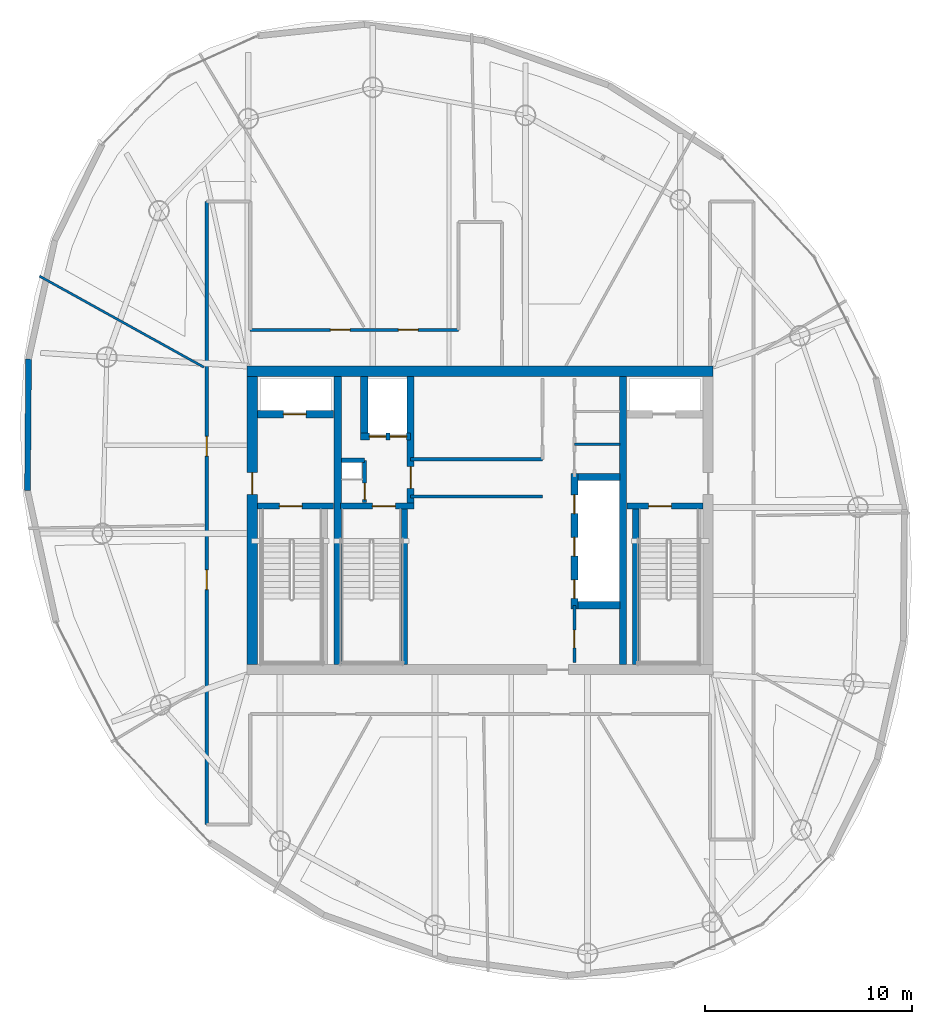
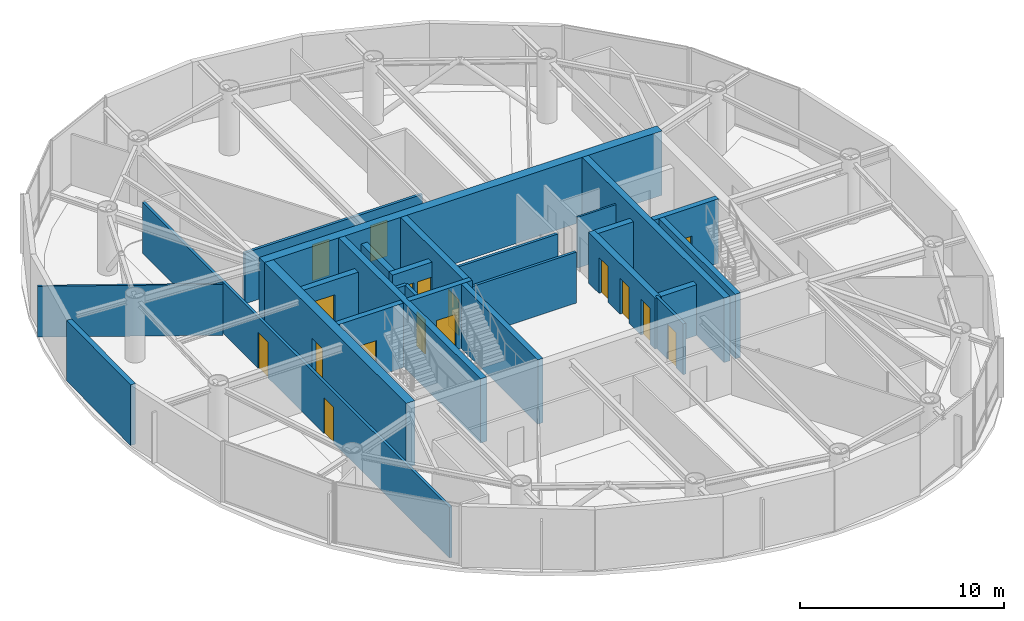
# One storey, part 17 of 22: 26 walls, 17 doors, 17 openings.
"""IFC4 building model written with IfcOpenShell, lengths in metres."""

from ifc_helpers import new_model, si_unit, direction, frame, frame_2d, origin, place, context, subcontext, project, spatial, rectangle, extrude, material, layer, layer_set, type_object, element, fill, save


model = new_model("IFC4")

# Units and contexts
model_context = context("Model", 3, precision=1e-05, world=origin(), true_north=direction((0.0, 1.0)))
body_context = subcontext(model_context, "Body", "Model", "MODEL_VIEW")
ifc_project = project(units=[si_unit("LENGTHUNIT", "METRE"), si_unit("AREAUNIT", "SQUARE_METRE"), si_unit("VOLUMEUNIT", "CUBIC_METRE"), si_unit("PLANEANGLEUNIT", "RADIAN"), si_unit("MASSUNIT", "GRAM", prefix="KILO")], contexts=[model_context])

# Site, building, storey
site_placement = place(None, origin())
site = spatial("IfcSite", under=ifc_project, at=site_placement, CompositionType="ELEMENT")
building_placement = place(site_placement, origin())
building = spatial("IfcBuilding", under=site, at=building_placement, Name="Bramvorn Convention Spire", CompositionType="ELEMENT")
storey_placement = place(building_placement, frame((0.0, 0.0, 253.60009765625)))
storey = spatial("IfcBuildingStorey", under=building, at=storey_placement, Name="L64", CompositionType="ELEMENT", Elevation=253.60009765625)

# Wall
ifc_material_1 = material(Name="Concrete C50/60", Category="concrete")
ifc_layer_1 = layer(ifc_material_1, 0.5)
ifc_layer_set_1 = layer_set([ifc_layer_1], Name="Concrete C50/60 - WL-CORE-500")
wall_type_1 = type_object("IfcWallType", Name="WL-CORE-500", PredefinedType="SHEAR", material=ifc_layer_set_1)
wall_1_placement = place(storey_placement, frame((26.75, 33.199951171875, 0.0), z_axis=(0.0, 0.0, 1.0), x_axis=(1.0, 0.0, 0.0)))
element("IfcWall", 1, at=wall_1_placement, inside=storey, type_object=wall_type_1, Name="L64 North RC core shear wall", PredefinedType="SHEAR", context=body_context, shape_type="SweptSolid", body=[
    extrude(rectangle(XDim=22.5, YDim=0.5, at=frame_2d((11.25, 0.0))), origin(), (0.0, 0.0, 1.0), 3.849853515625),
])

# Wall, opening, door
wall_2_placement = place(storey_placement, frame((27.0, 19.050048828125, 0.0), z_axis=(0.0, 0.0, 1.0), x_axis=(0.0, 1.0, 0.0)))
wall_2 = element("IfcWall", 2, at=wall_2_placement, inside=storey, type_object=wall_type_1, Name="L64 West RC core shear wall", PredefinedType="SHEAR", context=body_context, shape_type="SweptSolid", body=[
    extrude(rectangle(XDim=13.89990234375, YDim=0.5, at=frame_2d((6.949951171875, 0.0))), origin(), (0.0, 0.0, 1.0), 3.849853515625),
])
opening_1_placement = place(wall_2_placement, frame((8.199951171875, 0.0, 0.0)))
opening_1 = element("IfcOpeningElement", 3, at=opening_1_placement, cuts=wall_2, Name="Opening DL-105", PredefinedType="OPENING", context=body_context, shape_type="SweptSolid", body=[
    extrude(rectangle(XDim=1.050048828125, YDim=2.14990234375, at=frame_2d((0.52490234375, 1.074951171875))), frame((0.0, 0.260009765625, 0.0), z_axis=(0.0, -1.0, 0.0), x_axis=(1.0, 0.0, 0.0)), (0.0, 0.0, 1.0), 0.52001953125),
])
ifc_material_2 = material(Name="Smoke-Sealed Fire Lobby Timber-Core Door", Category="wood")
door_type_1 = type_object("IfcDoorType", Name="DR-LOBBY-1050", OperationType="NOTDEFINED", PredefinedType="DOOR", material=ifc_material_2)
door_1_placement = place(opening_1_placement, origin())
door_1 = element("IfcDoor", 4, at=door_1_placement, inside=storey, type_object=door_type_1, Name="L64 West Firefighting Lobby corridor door", OperationType="SINGLE_SWING_RIGHT", OverallHeight=2.14990234375, OverallWidth=1.050048828125, PredefinedType="DOOR", context=body_context, shape_type="SweptSolid", body=[
    extrude(rectangle(XDim=1.050048828125, YDim=2.14990234375, at=frame_2d((0.52490234375, 1.074951171875))), frame((0.0, 0.02490234375, 0.0), z_axis=(0.0, -1.0, 0.0), x_axis=(1.0, 0.0, 0.0)), (0.0, 0.0, 1.0), 0.050048828125),
])
fill(opening_1, door_1)

# Walls
ifc_layer_2 = layer(ifc_material_1, 0.35009765625)
ifc_layer_set_2 = layer_set([ifc_layer_2], Name="Concrete C50/60 - WL-CORE-INT-350")
wall_type_2 = type_object("IfcWallType", Name="WL-CORE-INT-350", PredefinedType="SHEAR", material=ifc_layer_set_2)
for number, where, z_axis, x_axis, name in (
    (5, (31.1298828125, 19.050048828125, 0.0), (0.0, 0.0, 1.0), (0.0, 1.0, 0.0), "L64 West internal core shear web"),
    (6, (44.89990234375, 19.050048828125, 0.0), (0.0, 0.0, 1.0), (0.0, 1.0, 0.0), "L64 East internal core shear web"),
):
    element("IfcWall", number, at=place(storey_placement, frame(where, z_axis=z_axis, x_axis=x_axis)), inside=storey, type_object=wall_type_2, Name=name, PredefinedType="SHEAR", context=body_context, shape_type="SweptSolid", body=[
        extrude(rectangle(XDim=13.89990234375, YDim=0.35009765625, at=frame_2d((6.949951171875, 0.0))), origin(), (0.0, 0.0, 1.0), 3.849853515625),
    ])

# Wall, opening, door
wall_3_placement = place(storey_placement, frame((27.25, 31.1201171875, 0.0), z_axis=(0.0, 0.0, 1.0), x_axis=(1.0, 0.0, 0.0)))
wall_3 = element("IfcWall", 7, at=wall_3_placement, inside=storey, type_object=wall_type_2, Name="L64 FE1 shaft front wall", PredefinedType="SHEAR", context=body_context, shape_type="SweptSolid", body=[
    extrude(rectangle(XDim=3.669921875, YDim=0.35009765625, at=frame_2d((1.8349609375, 0.0))), origin(), (0.0, 0.0, 1.0), 3.039794921875),
])
opening_2_placement = place(wall_3_placement, frame((1.25, 0.0, 0.0)))
opening_2 = element("IfcOpeningElement", 8, at=opening_2_placement, cuts=wall_3, Name="Opening LD-110", PredefinedType="OPENING", context=body_context, shape_type="SweptSolid", body=[
    extrude(rectangle(XDim=1.10009765625, YDim=2.14990234375, at=frame_2d((0.550048828125, 1.074951171875))), frame((0.0, 0.18505859375, 0.0), z_axis=(0.0, -1.0, 0.0), x_axis=(1.0, 0.0, 0.0)), (0.0, 0.0, 1.0), 0.3701171875),
])
ifc_material_3 = material(Name="Firefighting & Service Lift Sliding Landing Door", Category="steel")
door_type_2 = type_object("IfcDoorType", Name="DR-LIFT-LD-1100", OperationType="NOTDEFINED", PredefinedType="DOOR", material=ifc_material_3)
door_2_placement = place(opening_2_placement, origin())
door_2 = element("IfcDoor", 9, at=door_2_placement, inside=storey, type_object=door_type_2, Name="L64 Lift FE1 Sliding Landing Door", OperationType="SLIDING_TO_LEFT", OverallHeight=2.14990234375, OverallWidth=1.10009765625, PredefinedType="DOOR", context=body_context, shape_type="SweptSolid", body=[
    extrude(rectangle(XDim=1.10009765625, YDim=2.14990234375, at=frame_2d((0.550048828125, 1.074951171875))), frame((0.0, 0.02490234375, 0.0), z_axis=(0.0, -1.0, 0.0), x_axis=(1.0, 0.0, 0.0)), (0.0, 0.0, 1.0), 0.050048828125),
])
fill(opening_2, door_2)

wall_4_placement = place(storey_placement, frame((34.639892578125, 26.68994140625, 0.0), z_axis=(0.0, 0.0, 1.0), x_axis=(0.0, 1.0, 0.0)))
wall_4 = element("IfcWall", 10, at=wall_4_placement, inside=storey, type_object=wall_type_2, Name="L64 SV east core shaft wall", PredefinedType="SHEAR", context=body_context, shape_type="SweptSolid", body=[
    extrude(rectangle(XDim=6.260009765625, YDim=0.35009765625, at=frame_2d((3.1298828125, 0.0))), origin(), (0.0, 0.0, 1.0), 3.849853515625),
])
opening_3_placement = place(wall_4_placement, frame((0.85009765625, 0.0, 0.0)))
opening_3 = element("IfcOpeningElement", 11, at=opening_3_placement, cuts=wall_4, Name="Opening DL-105", PredefinedType="OPENING", context=body_context, shape_type="SweptSolid", body=[
    extrude(rectangle(XDim=1.050048828125, YDim=2.14990234375, at=frame_2d((0.52490234375, 1.074951171875))), frame((0.0, 0.18505859375, 0.0), z_axis=(0.0, -1.0, 0.0), x_axis=(1.0, 0.0, 0.0)), (0.0, 0.0, 1.0), 0.3701171875),
])
door_3_placement = place(opening_3_placement, origin())
door_3 = element("IfcDoor", 12, at=door_3_placement, inside=storey, type_object=door_type_1, Name="L64 Core cross-passage door", OperationType="SINGLE_SWING_RIGHT", OverallHeight=2.14990234375, OverallWidth=1.050048828125, PredefinedType="DOOR", context=body_context, shape_type="SweptSolid", body=[
    extrude(rectangle(XDim=1.050048828125, YDim=2.14990234375, at=frame_2d((0.52490234375, 1.074951171875))), frame((0.0, 0.02490234375, 0.0), z_axis=(0.0, -1.0, 0.0), x_axis=(1.0, 0.0, 0.0)), (0.0, 0.0, 1.0), 0.050048828125),
])
fill(opening_3, door_3)

# Wall, openings, doors
wall_5_placement = place(storey_placement, frame((32.22998046875, 30.050048828125, 0.0), z_axis=(0.0, 0.0, 1.0), x_axis=(1.0, 0.0, 0.0)))
wall_5 = element("IfcWall", 13, at=wall_5_placement, inside=storey, type_object=wall_type_2, Name="L64 SV1/SV2 shaft front wall", PredefinedType="SHEAR", context=body_context, shape_type="SweptSolid", body=[
    extrude(rectangle(XDim=2.409912109375, YDim=0.35009765625, at=frame_2d((1.205078125, 0.0))), origin(), (0.0, 0.0, 1.0), 3.039794921875),
])
opening_4_placement = place(wall_5_placement, frame((0.419921875, 0.0, 0.0)))
opening_4 = element("IfcOpeningElement", 14, at=opening_4_placement, cuts=wall_5, Name="Opening LD-080", PredefinedType="OPENING", context=body_context, shape_type="SweptSolid", body=[
    extrude(rectangle(XDim=0.800048828125, YDim=2.14990234375, at=frame_2d((0.39990234375, 1.074951171875))), frame((0.0, 0.18505859375, 0.0), z_axis=(0.0, -1.0, 0.0), x_axis=(1.0, 0.0, 0.0)), (0.0, 0.0, 1.0), 0.3701171875),
])
opening_5_placement = place(wall_5_placement, frame((1.419921875, 0.0, 0.0)))
opening_5 = element("IfcOpeningElement", 15, at=opening_5_placement, cuts=wall_5, Name="Opening LD-080", PredefinedType="OPENING", context=body_context, shape_type="SweptSolid", body=[
    extrude(rectangle(XDim=0.800048828125, YDim=2.14990234375, at=frame_2d((0.39990234375, 1.074951171875))), frame((0.0, 0.18505859375, 0.0), z_axis=(0.0, -1.0, 0.0), x_axis=(1.0, 0.0, 0.0)), (0.0, 0.0, 1.0), 0.3701171875),
])
ifc_material_4 = material(Name="Service Lift Bi-Parting Landing Door", Category="steel")
door_type_3 = type_object("IfcDoorType", Name="DR-LIFT-LD-800", OperationType="NOTDEFINED", PredefinedType="DOOR", material=ifc_material_4)
door_4_placement = place(opening_4_placement, origin())
door_4 = element("IfcDoor", 16, at=door_4_placement, inside=storey, type_object=door_type_3, Name="L64 Lift SV1 Sliding Landing Door", OperationType="SLIDING_TO_LEFT", OverallHeight=2.14990234375, OverallWidth=0.800048828125, PredefinedType="DOOR", context=body_context, shape_type="SweptSolid", body=[
    extrude(rectangle(XDim=0.800048828125, YDim=2.14990234375, at=frame_2d((0.39990234375, 1.074951171875))), frame((0.0, 0.02490234375, 0.0), z_axis=(0.0, -1.0, 0.0), x_axis=(1.0, 0.0, 0.0)), (0.0, 0.0, 1.0), 0.050048828125),
])
fill(opening_4, door_4)
door_5_placement = place(opening_5_placement, origin())
door_5 = element("IfcDoor", 17, at=door_5_placement, inside=storey, type_object=door_type_3, Name="L64 Lift SV2 Sliding Landing Door", OperationType="SLIDING_TO_LEFT", OverallHeight=2.14990234375, OverallWidth=0.800048828125, PredefinedType="DOOR", context=body_context, shape_type="SweptSolid", body=[
    extrude(rectangle(XDim=0.800048828125, YDim=2.14990234375, at=frame_2d((0.39990234375, 1.074951171875))), frame((0.0, 0.02490234375, 0.0), z_axis=(0.0, -1.0, 0.0), x_axis=(1.0, 0.0, 0.0)), (0.0, 0.0, 1.0), 0.050048828125),
])
fill(opening_5, door_5)

# Wall
wall_6_placement = place(storey_placement, frame((32.39990234375, 30.219970703125, 0.0), z_axis=(0.0, 0.0, 1.0), x_axis=(0.0, 1.0, 0.0)))
element("IfcWall", 18, at=wall_6_placement, inside=storey, type_object=wall_type_2, Name="L64 SV1 west hoistway wall", PredefinedType="SHEAR", context=body_context, shape_type="SweptSolid", body=[
    extrude(rectangle(XDim=2.72998046875, YDim=0.35009765625, at=frame_2d((1.364990234375, 0.0))), origin(), (0.0, 0.0, 1.0), 3.039794921875),
])

# Wall, openings, doors
wall_7_placement = place(storey_placement, frame((42.550048828125, 21.72998046875, 0.0), z_axis=(0.0, 0.0, 1.0), x_axis=(0.0, 1.0, 0.0)))
wall_7 = element("IfcWall", 19, at=wall_7_placement, inside=storey, type_object=wall_type_2, Name="L64 High-rise lift bank west wall", PredefinedType="SHEAR", context=body_context, shape_type="SweptSolid", body=[
    extrude(rectangle(XDim=6.5400390625, YDim=0.35009765625, at=frame_2d((3.27001953125, 0.0))), origin(), (0.0, 0.0, 1.0), 3.039794921875),
])
opening_6_placement = place(wall_7_placement, frame((0.5, 0.0, 0.0)))
opening_6 = element("IfcOpeningElement", 20, at=opening_6_placement, cuts=wall_7, Name="Opening LD-090", PredefinedType="OPENING", context=body_context, shape_type="SweptSolid", body=[
    extrude(rectangle(XDim=0.89990234375, YDim=2.14990234375, at=frame_2d((0.449951171875, 1.074951171875))), frame((0.0, 0.18505859375, 0.0), z_axis=(0.0, -1.0, 0.0), x_axis=(1.0, 0.0, 0.0)), (0.0, 0.0, 1.0), 0.3701171875),
])
opening_7_placement = place(wall_7_placement, frame((2.550048828125, 0.0, 0.0)))
opening_7 = element("IfcOpeningElement", 21, at=opening_7_placement, cuts=wall_7, Name="Opening LD-090", PredefinedType="OPENING", context=body_context, shape_type="SweptSolid", body=[
    extrude(rectangle(XDim=0.89990234375, YDim=2.14990234375, at=frame_2d((0.449951171875, 1.074951171875))), frame((0.0, 0.18505859375, 0.0), z_axis=(0.0, -1.0, 0.0), x_axis=(1.0, 0.0, 0.0)), (0.0, 0.0, 1.0), 0.3701171875),
])
opening_8_placement = place(wall_7_placement, frame((4.60009765625, 0.0, 0.0)))
opening_8 = element("IfcOpeningElement", 22, at=opening_8_placement, cuts=wall_7, Name="Opening LD-090", PredefinedType="OPENING", context=body_context, shape_type="SweptSolid", body=[
    extrude(rectangle(XDim=0.89990234375, YDim=2.14990234375, at=frame_2d((0.449951171875, 1.074951171875))), frame((0.0, 0.18505859375, 0.0), z_axis=(0.0, -1.0, 0.0), x_axis=(1.0, 0.0, 0.0)), (0.0, 0.0, 1.0), 0.3701171875),
])
ifc_material_5 = material(Name="Bi-Parting Fire-Rated Lift Landing Door", Category="steel")
door_type_4 = type_object("IfcDoorType", Name="DR-LIFT-LD-900", OperationType="NOTDEFINED", PredefinedType="DOOR", material=ifc_material_5)
door_6_placement = place(opening_6_placement, origin())
door_6 = element("IfcDoor", 23, at=door_6_placement, inside=storey, type_object=door_type_4, Name="L64 Lift PH1 Sliding Landing Door", OperationType="SLIDING_TO_LEFT", OverallHeight=2.14990234375, OverallWidth=0.89990234375, PredefinedType="DOOR", context=body_context, shape_type="SweptSolid", body=[
    extrude(rectangle(XDim=0.89990234375, YDim=2.14990234375, at=frame_2d((0.449951171875, 1.074951171875))), frame((0.0, 0.02490234375, 0.0), z_axis=(0.0, -1.0, 0.0), x_axis=(1.0, 0.0, 0.0)), (0.0, 0.0, 1.0), 0.050048828125),
])
fill(opening_6, door_6)
door_7_placement = place(opening_7_placement, origin())
door_7 = element("IfcDoor", 24, at=door_7_placement, inside=storey, type_object=door_type_4, Name="L64 Lift PH2 Sliding Landing Door", OperationType="SLIDING_TO_LEFT", OverallHeight=2.14990234375, OverallWidth=0.89990234375, PredefinedType="DOOR", context=body_context, shape_type="SweptSolid", body=[
    extrude(rectangle(XDim=0.89990234375, YDim=2.14990234375, at=frame_2d((0.449951171875, 1.074951171875))), frame((0.0, 0.02490234375, 0.0), z_axis=(0.0, -1.0, 0.0), x_axis=(1.0, 0.0, 0.0)), (0.0, 0.0, 1.0), 0.050048828125),
])
fill(opening_7, door_7)
door_8_placement = place(opening_8_placement, origin())
door_8 = element("IfcDoor", 25, at=door_8_placement, inside=storey, type_object=door_type_4, Name="L64 Lift PH3 Sliding Landing Door", OperationType="SLIDING_TO_LEFT", OverallHeight=2.14990234375, OverallWidth=0.89990234375, PredefinedType="DOOR", context=body_context, shape_type="SweptSolid", body=[
    extrude(rectangle(XDim=0.89990234375, YDim=2.14990234375, at=frame_2d((0.449951171875, 1.074951171875))), frame((0.0, 0.02490234375, 0.0), z_axis=(0.0, -1.0, 0.0), x_axis=(1.0, 0.0, 0.0)), (0.0, 0.0, 1.0), 0.050048828125),
])
fill(opening_8, door_8)

# Walls
for number, where, z_axis, x_axis, name in (
    (26, (42.719970703125, 21.89990234375, 0.0), (0.0, 0.0, 1.0), (1.0, 0.0, 0.0), "L64 High-rise lift bank south wall"),
    (27, (42.719970703125, 28.10009765625, 0.0), (0.0, 0.0, 1.0), (1.0, 0.0, 0.0), "L64 High-rise lift bank north wall"),
):
    element("IfcWall", number, at=place(storey_placement, frame(where, z_axis=z_axis, x_axis=x_axis)), inside=storey, type_object=wall_type_2, Name=name, PredefinedType="SHEAR", context=body_context, shape_type="SweptSolid", body=[
        extrude(rectangle(XDim=2.030029296875, YDim=0.35009765625, at=frame_2d((1.01513671875, 0.0))), origin(), (0.0, 0.0, 1.0), 3.039794921875),
    ])
ifc_material_6 = material(Name="Precast Concrete C40/50 with Bronze Terracotta Rainscreen", Category="masonry")
ifc_layer_3 = layer(ifc_material_6, 0.300048828125)
ifc_layer_set_3 = layer_set([ifc_layer_3], Name="Precast Concrete C40/50 with Bronze Terracotta Rainscreen - WL-EXT-BRONZE-300")
wall_type_3 = type_object("IfcWallType", Name="WL-EXT-BRONZE-300", PredefinedType="SOLIDWALL", material=ifc_layer_set_3)
wall_8_placement = place(storey_placement, frame((16.147216796875, 27.447265625, 0.0), z_axis=(0.0, 0.0, 1.0), x_axis=(0.008349395362, 0.999965143191, 0.0)))
element("IfcWall", 28, at=wall_8_placement, inside=storey, type_object=wall_type_3, Name="L64 expressed bronze Gothic lancet pier wall 16", PredefinedType="SOLIDWALL", context=body_context, shape_type="SweptSolid", body=[
    extrude(rectangle(XDim=6.34521484375, YDim=0.280029296875, at=frame_2d((3.172607421875, 0.0))), origin(), (0.0, 0.0, 1.0), 3.625),
])
ifc_material_7 = material(Name="Lightweight En-Suite & Wet-Wall Partition", Category="gypsum")
ifc_layer_4 = layer(ifc_material_7, 0.110107421875)
ifc_layer_set_4 = layer_set([ifc_layer_4], Name="Lightweight En-Suite & Wet-Wall Partition - WL-PART-110")
wall_type_4 = type_object("IfcWallType", Name="WL-PART-110", PredefinedType="PARTITIONING", material=ifc_layer_set_4)
wall_9_placement = place(storey_placement, frame((42.550048828125, 29.679931640625, 0.0), z_axis=(0.0, 0.0, 1.0), x_axis=(1.0, 0.0, 0.0)))
element("IfcWall", 29, at=wall_9_placement, inside=storey, type_object=wall_type_4, Name="L64 KC NE div 1", PredefinedType="PARTITIONING", context=body_context, shape_type="SweptSolid", body=[
    extrude(rectangle(XDim=2.199951171875, YDim=0.110107421875, at=frame_2d((1.10009765625, 0.0))), origin(), (0.0, 0.0, 1.0), 3.039794921875),
])
wall_10_placement = place(storey_placement, frame((24.659912109375, 33.39453125, 0.0), z_axis=(0.0, 0.0, 1.0), x_axis=(-0.874629144462, 0.484792594475, 0.0)))
element("IfcWall", 30, at=wall_10_placement, inside=storey, type_object=wall_type_4, Name="L64 Tenant suite partition 6", PredefinedType="PARTITIONING", context=body_context, shape_type="SweptSolid", body=[
    extrude(rectangle(XDim=9.07080078125, YDim=0.110107421875, at=frame_2d((4.535400390625, 0.0))), origin(), (0.0, 0.0, 1.0), 3.039794921875),
])
ifc_material_8 = material(Name="Acoustic Metal-Stud Tenant/Corridor Partition", Category="gypsum")
ifc_layer_5 = layer(ifc_material_8, 0.14990234375)
ifc_layer_set_5 = layer_set([ifc_layer_5], Name="Acoustic Metal-Stud Tenant/Corridor Partition - WL-PART-150")
wall_type_5 = type_object("IfcWallType", Name="WL-PART-150", PredefinedType="PARTITIONING", material=ifc_layer_set_5)
for number, where, z_axis, x_axis, name in (
    (31, (34.639892578125, 27.14990234375, 0.0), (0.0, 0.0, 1.0), (1.0, 0.0, 0.0), "L64 Cross-core passage south wall"),
    (32, (34.639892578125, 28.949951171875, 0.0), (0.0, 0.0, 1.0), (1.0, 0.0, 0.0), "L64 Cross-core passage north wall"),
):
    element("IfcWall", number, at=place(storey_placement, frame(where, z_axis=z_axis, x_axis=x_axis)), inside=storey, type_object=wall_type_5, Name=name, PredefinedType="PARTITIONING", context=body_context, shape_type="SweptSolid", body=[
        extrude(rectangle(XDim=6.360107421875, YDim=0.14990234375, at=frame_2d((3.18017578125, 0.0))), origin(), (0.0, 0.0, 1.0), 3.039794921875),
    ])

# Wall, opening, door
wall_11_placement = place(storey_placement, frame((42.550048828125, 19.14990234375, 0.0), z_axis=(0.0, 0.0, 1.0), x_axis=(0.0, 1.0, 0.0)))
wall_11 = element("IfcWall", 33, at=wall_11_placement, inside=storey, type_object=wall_type_5, Name="L64 KC SE wall", PredefinedType="PARTITIONING", context=body_context, shape_type="SweptSolid", body=[
    extrude(rectangle(XDim=2.75, YDim=0.14990234375, at=frame_2d((1.375, 0.0))), origin(), (0.0, 0.0, 1.0), 3.039794921875),
])
opening_9_placement = place(wall_11_placement, frame((0.699951171875, 0.0, 0.0)))
opening_9 = element("IfcOpeningElement", 34, at=opening_9_placement, cuts=wall_11, Name="Opening DC-085", PredefinedType="OPENING", context=body_context, shape_type="SweptSolid", body=[
    extrude(rectangle(XDim=0.85009765625, YDim=2.10009765625, at=frame_2d((0.425048828125, 1.050048828125))), frame((0.0, 0.0849609375, 0.0), z_axis=(0.0, -1.0, 0.0), x_axis=(1.0, 0.0, 0.0)), (0.0, 0.0, 1.0), 0.169921875),
])
ifc_material_9 = material(Name="Fire-Rated Core Washroom & IDF Door", Category="wood")
door_type_5 = type_object("IfcDoorType", Name="DR-CORE-850", OperationType="NOTDEFINED", PredefinedType="DOOR", material=ifc_material_9)
door_9_placement = place(opening_9_placement, origin())
door_9 = element("IfcDoor", 35, at=door_9_placement, inside=storey, type_object=door_type_5, Name="L64 Core Valve & Riser Room door", OperationType="SINGLE_SWING_LEFT", OverallHeight=2.10009765625, OverallWidth=0.85009765625, PredefinedType="DOOR", context=body_context, shape_type="SweptSolid", body=[
    extrude(rectangle(XDim=0.85009765625, YDim=2.10009765625, at=frame_2d((0.425048828125, 1.050048828125))), frame((0.0, 0.02490234375, 0.0), z_axis=(0.0, -1.0, 0.0), x_axis=(1.0, 0.0, 0.0)), (0.0, 0.0, 1.0), 0.050048828125),
])
fill(opening_9, door_9)

# Wall, openings, doors
wall_12_placement = place(storey_placement, frame((26.89990234375, 35.199951171875, 0.0), z_axis=(0.0, 0.0, 1.0), x_axis=(1.0, 0.0, 0.0)))
wall_12 = element("IfcWall", 36, at=wall_12_placement, inside=storey, type_object=wall_type_5, Name="L64 North-west spur link wall", PredefinedType="PARTITIONING", context=body_context, shape_type="SweptSolid", body=[
    extrude(rectangle(XDim=10.050048828125, YDim=0.14990234375, at=frame_2d((5.02490234375, 0.0))), origin(), (0.0, 0.0, 1.0), 3.039794921875),
])
opening_10_placement = place(wall_12_placement, frame((7.1494140625, 0.0, 0.0)))
opening_10 = element("IfcOpeningElement", 37, at=opening_10_placement, cuts=wall_12, Name="Opening DH-095", PredefinedType="OPENING", context=body_context, shape_type="SweptSolid", body=[
    extrude(rectangle(XDim=0.949951171875, YDim=2.14990234375, at=frame_2d((0.47509765625, 1.074951171875))), frame((0.0, 0.0849609375, 0.0), z_axis=(0.0, -1.0, 0.0), x_axis=(1.0, 0.0, 0.0)), (0.0, 0.0, 1.0), 0.169921875),
])
opening_11_placement = place(wall_12_placement, frame((3.872314453125, 0.0, 0.0)))
opening_11 = element("IfcOpeningElement", 38, at=opening_11_placement, cuts=wall_12, Name="Opening DH-095", PredefinedType="OPENING", context=body_context, shape_type="SweptSolid", body=[
    extrude(rectangle(XDim=0.949951171875, YDim=2.14990234375, at=frame_2d((0.47509765625, 1.074951171875))), frame((0.0, 0.0849609375, 0.0), z_axis=(0.0, -1.0, 0.0), x_axis=(1.0, 0.0, 0.0)), (0.0, 0.0, 1.0), 0.169921875),
])
ifc_material_10 = material(Name="Solid-Core Acoustic Guestroom Entry Door", Category="wood")
door_type_6 = type_object("IfcDoorType", Name="DR-HOTEL-950", OperationType="NOTDEFINED", PredefinedType="DOOR", material=ifc_material_10)
door_10_placement = place(opening_10_placement, origin())
door_10 = element("IfcDoor", 39, at=door_10_placement, inside=storey, type_object=door_type_6, Name="L64 Associate Office Chamber 4 4 door", OperationType="SINGLE_SWING_RIGHT", OverallHeight=2.14990234375, OverallWidth=0.949951171875, PredefinedType="DOOR", context=body_context, shape_type="SweptSolid", body=[
    extrude(rectangle(XDim=0.949951171875, YDim=2.14990234375, at=frame_2d((0.47509765625, 1.074951171875))), frame((0.0, 0.02490234375, 0.0), z_axis=(0.0, -1.0, 0.0), x_axis=(1.0, 0.0, 0.0)), (0.0, 0.0, 1.0), 0.050048828125),
])
fill(opening_10, door_10)
door_11_placement = place(opening_11_placement, origin())
door_11 = element("IfcDoor", 40, at=door_11_placement, inside=storey, type_object=door_type_6, Name="L64 Associate Office Chamber 5 5 door", OperationType="SINGLE_SWING_RIGHT", OverallHeight=2.14990234375, OverallWidth=0.949951171875, PredefinedType="DOOR", context=body_context, shape_type="SweptSolid", body=[
    extrude(rectangle(XDim=0.949951171875, YDim=2.14990234375, at=frame_2d((0.47509765625, 1.074951171875))), frame((0.0, 0.02490234375, 0.0), z_axis=(0.0, -1.0, 0.0), x_axis=(1.0, 0.0, 0.0)), (0.0, 0.0, 1.0), 0.050048828125),
])
fill(opening_11, door_11)

wall_13_placement = place(storey_placement, frame((24.800048828125, 11.31689453125, 0.0), z_axis=(0.0, 0.0, 1.0), x_axis=(0.0, 1.0, 0.0)))
wall_13 = element("IfcWall", 41, at=wall_13_placement, inside=storey, type_object=wall_type_5, Name="L64 West N-S gallery outer wall", PredefinedType="PARTITIONING", context=body_context, shape_type="SweptSolid", body=[
    extrude(rectangle(XDim=30.0830078125, YDim=0.14990234375, at=frame_2d((15.04150390625, 0.0))), origin(), (0.0, 0.0, 1.0), 3.039794921875),
])
opening_12_placement = place(wall_13_placement, frame((17.78515625, 0.0, 0.0)))
opening_12 = element("IfcOpeningElement", 42, at=opening_12_placement, cuts=wall_13, Name="Opening DH-095", PredefinedType="OPENING", context=body_context, shape_type="SweptSolid", body=[
    extrude(rectangle(XDim=0.949951171875, YDim=2.14990234375, at=frame_2d((0.47509765625, 1.074951171875))), frame((0.0, 0.0849609375, 0.0), z_axis=(0.0, -1.0, 0.0), x_axis=(1.0, 0.0, 0.0)), (0.0, 0.0, 1.0), 0.169921875),
])
opening_13_placement = place(wall_13_placement, frame((11.34326171875, 0.0, 0.0)))
opening_13 = element("IfcOpeningElement", 43, at=opening_13_placement, cuts=wall_13, Name="Opening DH-095", PredefinedType="OPENING", context=body_context, shape_type="SweptSolid", body=[
    extrude(rectangle(XDim=0.949951171875, YDim=2.14990234375, at=frame_2d((0.47509765625, 1.074951171875))), frame((0.0, 0.0849609375, 0.0), z_axis=(0.0, -1.0, 0.0), x_axis=(1.0, 0.0, 0.0)), (0.0, 0.0, 1.0), 0.169921875),
])
door_12_placement = place(opening_12_placement, origin())
door_12 = element("IfcDoor", 44, at=door_12_placement, inside=storey, type_object=door_type_6, Name="L64 Associate Office Chamber 6 6 door", OperationType="SINGLE_SWING_RIGHT", OverallHeight=2.14990234375, OverallWidth=0.949951171875, PredefinedType="DOOR", context=body_context, shape_type="SweptSolid", body=[
    extrude(rectangle(XDim=0.949951171875, YDim=2.14990234375, at=frame_2d((0.47509765625, 1.074951171875))), frame((0.0, 0.02490234375, 0.0), z_axis=(0.0, -1.0, 0.0), x_axis=(1.0, 0.0, 0.0)), (0.0, 0.0, 1.0), 0.050048828125),
])
fill(opening_12, door_12)
door_13_placement = place(opening_13_placement, origin())
door_13 = element("IfcDoor", 45, at=door_13_placement, inside=storey, type_object=door_type_6, Name="L64 Arbitration Meeting Room 1 7 door", OperationType="SINGLE_SWING_LEFT", OverallHeight=2.14990234375, OverallWidth=0.949951171875, PredefinedType="DOOR", context=body_context, shape_type="SweptSolid", body=[
    extrude(rectangle(XDim=0.949951171875, YDim=2.14990234375, at=frame_2d((0.47509765625, 1.074951171875))), frame((0.0, 0.02490234375, 0.0), z_axis=(0.0, -1.0, 0.0), x_axis=(1.0, 0.0, 0.0)), (0.0, 0.0, 1.0), 0.050048828125),
])
fill(opening_13, door_13)

# Wall, opening, door
ifc_material_11 = material(Name="Gypsum Shaftwall & Rockwool Core Partition", Category="gypsum")
ifc_layer_6 = layer(ifc_material_11, 0.199951171875)
ifc_layer_set_6 = layer_set([ifc_layer_6], Name="Gypsum Shaftwall & Rockwool Core Partition - WL-PART-200-FR")
wall_type_6 = type_object("IfcWallType", Name="WL-PART-200-FR", PredefinedType="PARTITIONING", material=ifc_layer_set_6)
wall_14_placement = place(storey_placement, frame((32.419921875, 26.860107421875, 0.0), z_axis=(0.0, 0.0, 1.0), x_axis=(0.0, 1.0, 0.0)))
wall_14 = element("IfcWall", 46, at=wall_14_placement, inside=storey, type_object=wall_type_6, Name="L64 Telecom riser east wall", PredefinedType="PARTITIONING", context=body_context, shape_type="SweptSolid", body=[
    extrude(rectangle(XDim=2.039794921875, YDim=0.199951171875, at=frame_2d((1.02001953125, 0.0))), origin(), (0.0, 0.0, 1.0), 3.039794921875),
])
opening_14_placement = place(wall_14_placement, frame((0.139892578125, 0.0, 0.0)))
opening_14 = element("IfcOpeningElement", 47, at=opening_14_placement, cuts=wall_14, Name="Opening DR-080", PredefinedType="OPENING", context=body_context, shape_type="SweptSolid", body=[
    extrude(rectangle(XDim=0.800048828125, YDim=2.050048828125, at=frame_2d((0.39990234375, 1.02490234375))), frame((0.0, 0.10986328125, 0.0), z_axis=(0.0, -1.0, 0.0), x_axis=(1.0, 0.0, 0.0)), (0.0, 0.0, 1.0), 0.219970703125),
])
ifc_material_12 = material(Name="Flush Steel Riser Access Door", Category="steel")
door_type_7 = type_object("IfcDoorType", Name="DR-RISER-800", OperationType="NOTDEFINED", PredefinedType="DOOR", material=ifc_material_12)
door_14_placement = place(opening_14_placement, origin())
door_14 = element("IfcDoor", 48, at=door_14_placement, inside=storey, type_object=door_type_7, Name="L64 Telecom riser access door", OperationType="SINGLE_SWING_RIGHT", OverallHeight=2.050048828125, OverallWidth=0.800048828125, PredefinedType="DOOR", context=body_context, shape_type="SweptSolid", body=[
    extrude(rectangle(XDim=0.800048828125, YDim=2.050048828125, at=frame_2d((0.39990234375, 1.02490234375))), frame((0.0, 0.02490234375, 0.0), z_axis=(0.0, -1.0, 0.0), x_axis=(1.0, 0.0, 0.0)), (0.0, 0.0, 1.0), 0.050048828125),
])
fill(opening_14, door_14)

# Wall
wall_15_placement = place(storey_placement, frame((31.300048828125, 28.89990234375, 0.0), z_axis=(0.0, 0.0, 1.0), x_axis=(1.0, 0.0, 0.0)))
element("IfcWall", 49, at=wall_15_placement, inside=storey, type_object=wall_type_6, Name="L64 Telecom riser north wall", PredefinedType="PARTITIONING", context=body_context, shape_type="SweptSolid", body=[
    extrude(rectangle(XDim=1.119873046875, YDim=0.199951171875, at=frame_2d((0.56005859375, 0.0))), origin(), (0.0, 0.0, 1.0), 3.039794921875),
])

# Wall, opening, door
ifc_layer_7 = layer(ifc_material_1, 0.300048828125)
ifc_layer_set_7 = layer_set([ifc_layer_7], Name="Concrete C50/60 - WL-POD-STAIR-300")
wall_type_7 = type_object("IfcWallType", Name="WL-POD-STAIR-300", PredefinedType="SHEAR", material=ifc_layer_set_7)
wall_16_placement = place(storey_placement, frame((27.25, 26.68994140625, 0.0), z_axis=(0.0, 0.0, 1.0), x_axis=(1.0, 0.0, 0.0)))
wall_16 = element("IfcWall", 50, at=wall_16_placement, inside=storey, type_object=wall_type_7, Name="L64 ST1 north fire wall", PredefinedType="SHEAR", context=body_context, shape_type="SweptSolid", body=[
    extrude(rectangle(XDim=3.669921875, YDim=0.300048828125, at=frame_2d((1.8349609375, 0.0))), origin(), (0.0, 0.0, 1.0), 3.849853515625),
])
opening_15_placement = place(wall_16_placement, frame((1.050048828125, 0.0, 0.0)))
opening_15 = element("IfcOpeningElement", 51, at=opening_15_placement, cuts=wall_16, Name="Opening DS-110", PredefinedType="OPENING", context=body_context, shape_type="SweptSolid", body=[
    extrude(rectangle(XDim=1.10009765625, YDim=2.14990234375, at=frame_2d((0.550048828125, 1.074951171875))), frame((0.0, 0.159912109375, 0.0), z_axis=(0.0, -1.0, 0.0), x_axis=(1.0, 0.0, 0.0)), (0.0, 0.0, 1.0), 0.320068359375),
])
ifc_material_13 = material(Name="Fire-Rated Hollow Steel Stairwell Door", Category="steel")
door_type_8 = type_object("IfcDoorType", Name="DR-STAIR-1100", OperationType="NOTDEFINED", PredefinedType="DOOR", material=ifc_material_13)
door_15_placement = place(opening_15_placement, origin())
door_15 = element("IfcDoor", 52, at=door_15_placement, inside=storey, type_object=door_type_8, Name="L64 Stair ST1 fire door", OperationType="SINGLE_SWING_LEFT", OverallHeight=2.14990234375, OverallWidth=1.10009765625, PredefinedType="DOOR", context=body_context, shape_type="SweptSolid", body=[
    extrude(rectangle(XDim=1.10009765625, YDim=2.14990234375, at=frame_2d((0.550048828125, 1.074951171875))), frame((0.0, 0.02490234375, 0.0), z_axis=(0.0, -1.0, 0.0), x_axis=(1.0, 0.0, 0.0)), (0.0, 0.0, 1.0), 0.050048828125),
])
fill(opening_15, door_15)

wall_17_placement = place(storey_placement, frame((45.080078125, 26.68994140625, 0.0), z_axis=(0.0, 0.0, 1.0), x_axis=(1.0, 0.0, 0.0)))
wall_17 = element("IfcWall", 53, at=wall_17_placement, inside=storey, type_object=wall_type_7, Name="L64 ST2 north fire wall", PredefinedType="SHEAR", context=body_context, shape_type="SweptSolid", body=[
    extrude(rectangle(XDim=3.669921875, YDim=0.300048828125, at=frame_2d((1.8349609375, 0.0))), origin(), (0.0, 0.0, 1.0), 3.849853515625),
])
opening_16_placement = place(wall_17_placement, frame((1.050048828125, 0.0, 0.0)))
opening_16 = element("IfcOpeningElement", 54, at=opening_16_placement, cuts=wall_17, Name="Opening DS-110", PredefinedType="OPENING", context=body_context, shape_type="SweptSolid", body=[
    extrude(rectangle(XDim=1.10009765625, YDim=2.14990234375, at=frame_2d((0.550048828125, 1.074951171875))), frame((0.0, 0.159912109375, 0.0), z_axis=(0.0, -1.0, 0.0), x_axis=(1.0, 0.0, 0.0)), (0.0, 0.0, 1.0), 0.320068359375),
])
door_16_placement = place(opening_16_placement, origin())
door_16 = element("IfcDoor", 55, at=door_16_placement, inside=storey, type_object=door_type_8, Name="L64 Stair ST2 fire door", OperationType="SINGLE_SWING_RIGHT", OverallHeight=2.14990234375, OverallWidth=1.10009765625, PredefinedType="DOOR", context=body_context, shape_type="SweptSolid", body=[
    extrude(rectangle(XDim=1.10009765625, YDim=2.14990234375, at=frame_2d((0.550048828125, 1.074951171875))), frame((0.0, 0.02490234375, 0.0), z_axis=(0.0, -1.0, 0.0), x_axis=(1.0, 0.0, 0.0)), (0.0, 0.0, 1.0), 0.050048828125),
])
fill(opening_16, door_16)

# Walls
for number, where, z_axis, x_axis, name in (
    (56, (45.510009765625, 19.050048828125, 0.0), (0.0, 0.0, 1.0), (0.0, 1.0, 0.0), "L64 ST2 west bearing wall"),
    (57, (34.340087890625, 19.050048828125, 0.0), (0.0, 0.0, 1.0), (0.0, 1.0, 0.0), "L64 ST3 east bearing wall"),
):
    element("IfcWall", number, at=place(storey_placement, frame(where, z_axis=z_axis, x_axis=x_axis)), inside=storey, type_object=wall_type_7, Name=name, PredefinedType="SHEAR", context=body_context, shape_type="SweptSolid", body=[
        extrude(rectangle(XDim=7.5, YDim=0.300048828125, at=frame_2d((3.75, 0.0))), origin(), (0.0, 0.0, 1.0), 3.849853515625),
    ])

# Wall, opening, door
wall_18_placement = place(storey_placement, frame((31.25, 26.68994140625, 0.0), z_axis=(0.0, 0.0, 1.0), x_axis=(1.0, 0.0, 0.0)))
wall_18 = element("IfcWall", 58, at=wall_18_placement, inside=storey, type_object=wall_type_7, Name="L64 ST3 north lobby wall", PredefinedType="SHEAR", context=body_context, shape_type="SweptSolid", body=[
    extrude(rectangle(XDim=3.56005859375, YDim=0.300048828125, at=frame_2d((1.780029296875, 0.0))), origin(), (0.0, 0.0, 1.0), 3.849853515625),
])
opening_17_placement = place(wall_18_placement, frame((1.550048828125, 0.0, 0.0)))
opening_17 = element("IfcOpeningElement", 59, at=opening_17_placement, cuts=wall_18, Name="Opening DS-110", PredefinedType="OPENING", context=body_context, shape_type="SweptSolid", body=[
    extrude(rectangle(XDim=1.10009765625, YDim=2.14990234375, at=frame_2d((0.550048828125, 1.074951171875))), frame((0.0, 0.159912109375, 0.0), z_axis=(0.0, -1.0, 0.0), x_axis=(1.0, 0.0, 0.0)), (0.0, 0.0, 1.0), 0.320068359375),
])
door_17_placement = place(opening_17_placement, origin())
door_17 = element("IfcDoor", 60, at=door_17_placement, inside=storey, type_object=door_type_8, Name="L64 Stair ST3 fire door", OperationType="SINGLE_SWING_LEFT", OverallHeight=2.14990234375, OverallWidth=1.10009765625, PredefinedType="DOOR", context=body_context, shape_type="SweptSolid", body=[
    extrude(rectangle(XDim=1.10009765625, YDim=2.14990234375, at=frame_2d((0.550048828125, 1.074951171875))), frame((0.0, 0.02490234375, 0.0), z_axis=(0.0, -1.0, 0.0), x_axis=(1.0, 0.0, 0.0)), (0.0, 0.0, 1.0), 0.050048828125),
])
fill(opening_17, door_17)

save(model, "model.ifc")
